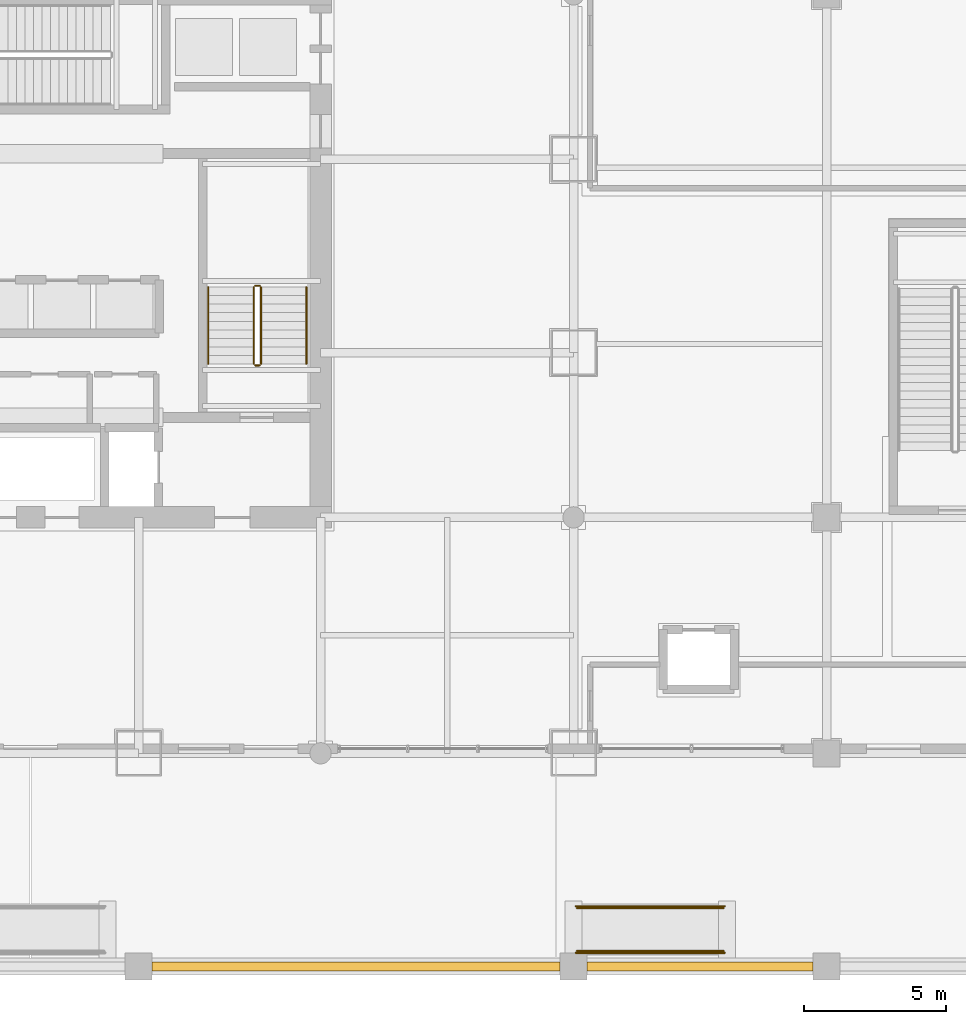
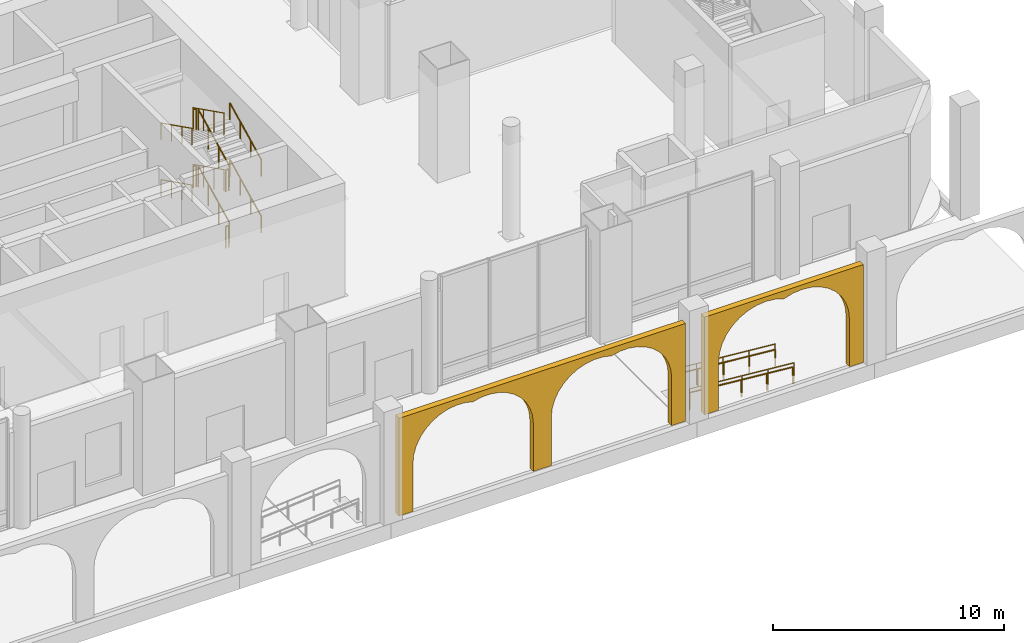
# One storey, part 27 of 32: 16 railings, 2 coverings.
"""IFC4 building model written with IfcOpenShell, lengths in metres."""

import ifcopenshell
import ifcopenshell.guid

model = None  # the IFC model being written
_history = None  # IfcOwnerHistory: only IFC2X3 demands one
_inside = {}  # id of a spatial element -> (the spatial element, [elements in it])
_under = {}  # id of a project, library or spatial element -> (it, [spatial elements below it])
_declared = {}  # id of a project -> (the project, [libraries it declares])
_typed = {}  # id of a type object -> (the type object, [elements of that type])
_made_of = {}  # id of a material, layer set ... -> (it, [elements and type objects made of it])


def new_model(schema):
    """Start an empty IFC model of exactly this schema.

    Asked for "IFC4X3", IfcOpenShell would pick the latest addendum, in which some entities
    have other attributes; the version numbers below select the first issue.
    IFC2X3 requires an IfcOwnerHistory on every rooted entity: one is made here for all.
    """
    global model, _history
    if schema == "IFC4X3":
        model = ifcopenshell.file(schema_version=(4, 3, 0, 0))
    else:
        model = ifcopenshell.file(schema=schema)
    _inside.clear()
    _under.clear()
    _declared.clear()
    _typed.clear()
    _made_of.clear()
    _history = None
    if model.schema == "IFC2X3":
        org = make("IfcOrganization", Name="unknown")
        user = make(
            "IfcPersonAndOrganization",
            ThePerson=make("IfcPerson", FamilyName="unknown"),
            TheOrganization=org,
        )
        app = make(
            "IfcApplication",
            ApplicationDeveloper=org,
            Version="unknown",
            ApplicationFullName="unknown",
            ApplicationIdentifier="unknown",
        )
        _history = make(
            "IfcOwnerHistory",
            OwningUser=user,
            OwningApplication=app,
            ChangeAction="ADDED",
            CreationDate=0,
        )
    return model


def make(cls, **values):
    """One entity of the class cls with the attributes given. An attribute that is None is left unset."""
    return model.create_entity(
        cls, **{name: value for name, value in values.items() if value is not None}
    )


def rooted(cls, **values):
    """An entity with a GlobalId (a new one), such as an element, a storey or a relation."""
    return make(cls, GlobalId=ifcopenshell.guid.new(), OwnerHistory=_history, **values)


def si_unit(unit_type, name, prefix=None):
    """IfcSIUnit, for example si_unit("LENGTHUNIT", "METRE", prefix="MILLI")."""
    return make("IfcSIUnit", UnitType=unit_type, Prefix=prefix, Name=name)


def assignment(units):
    """IfcUnitAssignment: the units of a project."""
    return None if units is None else make("IfcUnitAssignment", Units=units)


def point(xyz):
    """IfcCartesianPoint."""
    return None if xyz is None else make("IfcCartesianPoint", Coordinates=xyz)


def direction(xyz):
    """IfcDirection."""
    return None if xyz is None else make("IfcDirection", DirectionRatios=xyz)


def frame(location, z_axis=None, x_axis=None):
    """IfcAxis2Placement3D, a coordinate frame: its origin and axes. An axis left out is left unset."""
    return make(
        "IfcAxis2Placement3D",
        Location=point(location),
        Axis=direction(z_axis),
        RefDirection=direction(x_axis),
    )


def frame_2d(location, x_axis=None):
    """IfcAxis2Placement2D, a coordinate frame in the plane: its origin and x axis."""
    return make(
        "IfcAxis2Placement2D", Location=point(location), RefDirection=direction(x_axis)
    )


def origin():
    """The frame at (0, 0, 0) with its axes left unset."""
    return frame((0.0, 0.0, 0.0))


def origin_2d():
    """The frame at (0, 0) in the plane with its x axis left unset."""
    return frame_2d((0.0, 0.0))


def place(relative_to, where):
    """IfcLocalPlacement: puts the frame where relative to a parent placement (None: the world)."""
    return make(
        "IfcLocalPlacement", PlacementRelTo=relative_to, RelativePlacement=where
    )


def context(
    kind, dimensions, precision=None, world=None, true_north=None, identifier=None
):
    """IfcGeometricRepresentationContext, for example the 3D "Model" context."""
    return make(
        "IfcGeometricRepresentationContext",
        ContextIdentifier=identifier,
        ContextType=kind,
        CoordinateSpaceDimension=dimensions,
        Precision=precision,
        WorldCoordinateSystem=world,
        TrueNorth=true_north,
    )


def subcontext(parent, identifier, kind, view, scale=None):
    """IfcGeometricRepresentationSubContext, for example "Body" below "Model"."""
    return make(
        "IfcGeometricRepresentationSubContext",
        ContextIdentifier=identifier,
        ContextType=kind,
        ParentContext=parent,
        TargetScale=scale,
        TargetView=view,
    )


def project(units=None, contexts=None):
    """IfcProject with its units and contexts."""
    return rooted(
        "IfcProject",
        Name="project",
        RepresentationContexts=contexts,
        UnitsInContext=assignment(units),
    )


def spatial(cls, under=None, at=None, **own):
    """A site, building, storey or space (cls), placed at a placement, below another one or the project."""
    s = rooted(cls, ObjectPlacement=at, **own)
    if under is not None:
        _under.setdefault(under.id(), (under, []))[1].append(s)
    return s


def polyline(points):
    """IfcPolyline through the points."""
    return make("IfcPolyline", Points=[point(p) for p in points])


def profile(cls, at=None, kind="AREA", **sizes):
    """A parametric profile (cls). Its sizes go by their IFC names, for example OverallWidth=200.0."""
    return make(cls, ProfileType=kind, Position=at, **sizes)


def circle(**sizes):
    """IfcCircleProfileDef."""
    return profile("IfcCircleProfileDef", **sizes)


def outline(outer, holes=None, kind="AREA"):
    """IfcArbitraryClosedProfileDef: a profile drawn as a closed curve; with holes, ...WithVoids."""
    if holes is None:
        return make("IfcArbitraryClosedProfileDef", ProfileType=kind, OuterCurve=outer)
    return make(
        "IfcArbitraryProfileDefWithVoids",
        ProfileType=kind,
        OuterCurve=outer,
        InnerCurves=holes,
    )


def extrude(swept, where, along, depth):
    """IfcExtrudedAreaSolid: the profile swept, set in the frame where, extruded along a direction by depth."""
    return make(
        "IfcExtrudedAreaSolid",
        SweptArea=swept,
        Position=where,
        ExtrudedDirection=direction(along),
        Depth=depth,
    )


def shape(context_of_items, identifier, shape_type, items):
    """IfcShapeRepresentation: the items that make up one representation, for example the "Body"."""
    return make(
        "IfcShapeRepresentation",
        ContextOfItems=context_of_items,
        RepresentationIdentifier=identifier,
        RepresentationType=shape_type,
        Items=items,
    )


def material(Name=None, Category=None):
    """IfcMaterial."""
    return make("IfcMaterial", Name=Name, Category=Category)


def layer(
    of_material, thickness, ventilated=None, Name=None, Category=None, Priority=None
):
    """IfcMaterialLayer: one layer of a wall or slab, of a material (None: an air gap)."""
    return make(
        "IfcMaterialLayer",
        Material=of_material,
        LayerThickness=thickness,
        IsVentilated=ventilated,
        Name=Name,
        Category=Category,
        Priority=Priority,
    )


def layer_set(layers, Name=None):
    """IfcMaterialLayerSet."""
    return make("IfcMaterialLayerSet", MaterialLayers=layers, LayerSetName=Name)


def made_of(thing, what):
    """Note that an element or type object is made of a material, layer set ...; save() writes the relation."""
    if what is not None:
        _made_of.setdefault(what.id(), (what, []))[1].append(thing)
    return thing


def type_object(cls, material=None, **own):
    """A type object (cls), such as IfcWallType, which elements share."""
    return made_of(rooted(cls, **own), material)


def element(
    cls,
    number,
    at=None,
    inside=None,
    cuts=None,
    type_object=None,
    material=None,
    context=None,
    identifier="Body",
    shape_type=None,
    held_by="IfcProductDefinitionShape",
    body=None,
    shapes=None,
    **own,
):
    """One element of the class cls, such as IfcWall. Its Tag is "e" and its number.

    at: its placement. inside: the storey or other place that contains it. cuts: it is an
    opening in that element (IfcRelVoidsElement). A single representation is given by context,
    identifier, shape_type and body (its items); several are given by shapes. held_by: the class
    of the entity that holds the representations. save() writes the other relations.
    """
    e = rooted(cls, Tag="e%d" % number, ObjectPlacement=at, **own)
    if body is not None:
        shapes = [shape(context, identifier, shape_type, body)]
    if shapes is not None:
        e.Representation = make(held_by, Representations=shapes)
    if inside is not None:
        _inside.setdefault(inside.id(), (inside, []))[1].append(e)
    if cuts is not None:
        rooted(
            "IfcRelVoidsElement", RelatingBuildingElement=cuts, RelatedOpeningElement=e
        )
    if type_object is not None:
        _typed.setdefault(type_object.id(), (type_object, []))[1].append(e)
    return made_of(e, material)


def aggregate(whole, parts):
    """IfcRelAggregates: a whole, such as a stair, and the parts it consists of."""
    return rooted("IfcRelAggregates", RelatingObject=whole, RelatedObjects=parts)


def save(model, path):
    """Write the relations noted so far, then the file.

    IfcRelAggregates (storeys below a building ...), IfcRelContainedInSpatialStructure (elements
    in a storey), IfcRelDefinesByType, IfcRelAssociatesMaterial and IfcRelDeclares: one each for
    every whole, place, type object, material and project.
    """
    for whole, parts in _under.values():
        aggregate(whole, parts)
    for where, things in _inside.values():
        rooted(
            "IfcRelContainedInSpatialStructure",
            RelatedElements=things,
            RelatingStructure=where,
        )
    for kind, things in _typed.values():
        rooted("IfcRelDefinesByType", RelatedObjects=things, RelatingType=kind)
    for what, things in _made_of.values():
        rooted("IfcRelAssociatesMaterial", RelatedObjects=things, RelatingMaterial=what)
    for by, libraries in _declared.values():
        rooted("IfcRelDeclares", RelatingContext=by, RelatedDefinitions=libraries)
    model.write(path)


model = new_model("IFC4")

# Units and contexts
model_context = context("Model", 3, precision=1e-05, world=origin(), true_north=direction((0.0, 1.0)))
body_context = subcontext(model_context, "Body", "Model", "MODEL_VIEW")
ifc_project = project(units=[si_unit("LENGTHUNIT", "METRE"), si_unit("AREAUNIT", "SQUARE_METRE"), si_unit("VOLUMEUNIT", "CUBIC_METRE"), si_unit("PLANEANGLEUNIT", "RADIAN"), si_unit("MASSUNIT", "GRAM", prefix="KILO")], contexts=[model_context])

# Site, building, storey
site_placement = place(None, origin())
site = spatial("IfcSite", under=ifc_project, at=site_placement, CompositionType="ELEMENT")
building_placement = place(site_placement, origin())
building = spatial("IfcBuilding", under=site, at=building_placement, Name="Punatoya Terracotta Tower", CompositionType="ELEMENT")
storey_placement = place(building_placement, origin())
storey = spatial("IfcBuildingStorey", under=building, at=storey_placement, Name="L00", CompositionType="ELEMENT", Elevation=0.0)

# Coverings
ifc_material_1 = material(Name="Architectural Fired Terracotta Rainscreen", Category="masonry")
ifc_layer = layer(ifc_material_1, 0.300048828125)
ifc_layer_set = layer_set([ifc_layer], Name="Architectural Fired Terracotta Rainscreen")
covering_type = type_object("IfcCoveringType", Name="COV-ARC-300", PredefinedType="CLADDING", material=ifc_layer_set)
covering_1_placement = place(storey_placement, frame((4.27490234375, -25.0, 0.0), z_axis=(0.0, 0.0, 1.0), x_axis=(1.0, 0.0, 0.0)))
element("IfcCovering", 1, at=covering_1_placement, inside=storey, type_object=covering_type, Name="L00 Waterfront Arcade Pointed-Arch Spandrel Panel 05", PredefinedType="CLADDING", context=body_context, shape_type="SweptSolid", body=[
    extrude(outline(polyline([(0.0, 0.0), (0.699951171875, 0.0), (0.699951171875, 2.550048828125), (0.74072265625, 2.981689453125), (0.861328125, 3.398193359375), (1.0576171875, 3.78466796875), (1.322998046875, 4.127685546875), (1.6474609375, 4.415283203125), (2.02001953125, 4.636962890625), (2.427490234375, 4.784912109375), (2.85546875, 4.8544921875), (3.288818359375, 4.842529296875), (3.71240234375, 4.75), (4.135986328125, 4.842529296875), (4.569580078125, 4.8544921875), (4.99755859375, 4.784912109375), (5.40478515625, 4.636962890625), (5.777587890625, 4.415283203125), (6.10205078125, 4.127685546875), (6.3671875, 3.78466796875), (6.563720703125, 3.398193359375), (6.684326171875, 2.981689453125), (6.72509765625, 2.550048828125), (6.72509765625, 0.0), (7.625, 0.0), (7.625, 2.550048828125), (7.665771484375, 2.981689453125), (7.786376953125, 3.398193359375), (7.982666015625, 3.78466796875), (8.247802734375, 4.127685546875), (8.572509765625, 4.415283203125), (8.945068359375, 4.636962890625), (9.3525390625, 4.784912109375), (9.780517578125, 4.8544921875), (10.2138671875, 4.842529296875), (10.637451171875, 4.75), (11.06103515625, 4.842529296875), (11.494384765625, 4.8544921875), (11.922607421875, 4.784912109375), (12.329833984375, 4.636962890625), (12.702392578125, 4.415283203125), (13.027099609375, 4.127685546875), (13.292236328125, 3.78466796875), (13.488525390625, 3.398193359375), (13.609375, 2.981689453125), (13.64990234375, 2.550048828125), (13.64990234375, 0.0), (14.35009765625, 0.0), (14.35009765625, 5.169921875), (0.0, 5.169921875), (0.0, 0.0)])), frame((0.0, 0.14990234375, 0.0), z_axis=(0.0, -1.0, 0.0), x_axis=(1.0, 0.0, 0.0)), (0.0, 0.0, 1.0), 0.300048828125),
])
covering_2_placement = place(storey_placement, frame((19.574951171875, -25.0, 0.0), z_axis=(0.0, 0.0, 1.0), x_axis=(1.0, 0.0, 0.0)))
element("IfcCovering", 2, at=covering_2_placement, inside=storey, type_object=covering_type, Name="L00 Waterfront Arcade Pointed-Arch Spandrel Panel 06", PredefinedType="CLADDING", context=body_context, shape_type="SweptSolid", body=[
    extrude(outline(polyline([(0.0, 0.0), (0.699951171875, 0.0), (0.699951171875, 2.550048828125), (0.745361328125, 3.012451171875), (0.8798828125, 3.457275390625), (1.098388671875, 3.8671875), (1.392578125, 4.22705078125), (1.751220703125, 4.522705078125), (2.160400390625, 4.742919921875), (2.604736328125, 4.879150390625), (3.06689453125, 4.926513671875), (3.52978515625, 4.8828125), (3.97509765625, 4.75), (4.42041015625, 4.8828125), (4.883056640625, 4.926513671875), (5.34521484375, 4.879150390625), (5.78955078125, 4.742919921875), (6.19873046875, 4.522705078125), (6.557373046875, 4.22705078125), (6.8515625, 3.8671875), (7.070068359375, 3.457275390625), (7.20458984375, 3.012451171875), (7.25, 2.550048828125), (7.25, 0.0), (7.949951171875, 0.0), (7.949951171875, 5.169921875), (0.0, 5.169921875), (0.0, 0.0)])), frame((0.0, 0.14990234375, 0.0), z_axis=(0.0, -1.0, 0.0), x_axis=(1.0, 0.0, 0.0)), (0.0, 0.0, 1.0), 0.300048828125),
])

# Railings
ifc_material_2 = material(Name="Steel S355", Category="steel")
railing_type_1 = type_object("IfcRailingType", Name="RLG-GRD-1150", PredefinedType="GUARDRAIL", material=ifc_material_2)
railing_1_placement = place(storey_placement, frame((8.10009765625, -3.800048828125, 0.14990234375)))
element("IfcRailing", 3, at=railing_1_placement, inside=storey, type_object=railing_type_1, Name="L00 ST-2 stair guard 1", PredefinedType="GUARDRAIL", context=body_context, shape_type="SweptSolid", body=[
    extrude(circle(Radius=0.02392578125, at=origin_2d()), frame((0.0, 0.0, 1.1259765625), z_axis=(0.0, 0.894411015155, 0.447245945728), x_axis=(-1.0, 0.0, 0.0)), (0.0, 0.0, 1.0), 3.018798828125),
    extrude(circle(Radius=0.02099609375, at=origin_2d()), origin(), (0.0, 0.0, 1.0), 1.101806640625),
    extrude(circle(Radius=0.02099609375, at=origin_2d()), frame((0.0, 0.89990234375, 0.449951171875)), (0.0, 0.0, 1.0), 1.101806640625),
    extrude(circle(Radius=0.02099609375, at=origin_2d()), frame((0.0, 1.800048828125, 0.900146484375)), (0.0, 0.0, 1.0), 1.101806640625),
    extrude(circle(Radius=0.02099609375, at=origin_2d()), frame((0.0, 2.699951171875, 1.35009765625)), (0.0, 0.0, 1.0), 1.101806640625),
])
railing_2_placement = place(storey_placement, frame((8.050048828125, -1.050048828125, 1.5)))
element("IfcRailing", 4, at=railing_2_placement, inside=storey, type_object=railing_type_1, Name="L00 ST-2 stair guard 2", PredefinedType="GUARDRAIL", context=body_context, shape_type="SweptSolid", body=[
    extrude(circle(Radius=0.02392578125, at=origin_2d()), frame((0.0, 0.0, 1.1259765625), z_axis=(-1.0, 0.0, 0.0), x_axis=(0.0, -1.0, 0.0)), (0.0, 0.0, 1.0), 0.150146484375),
    extrude(circle(Radius=0.02099609375, at=origin_2d()), origin(), (0.0, 0.0, 1.0), 1.101806640625),
    extrude(circle(Radius=0.02099609375, at=origin_2d()), frame((-0.150146484375, 0.0, 0.0)), (0.0, 0.0, 1.0), 1.101806640625),
])
railing_3_placement = place(storey_placement, frame((7.85009765625, -1.10009765625, 1.64990234375)))
element("IfcRailing", 5, at=railing_3_placement, inside=storey, type_object=railing_type_1, Name="L00 ST-2 stair guard 3", PredefinedType="GUARDRAIL", context=body_context, shape_type="SweptSolid", body=[
    extrude(circle(Radius=0.02392578125, at=origin_2d()), frame((0.0, 0.0, 1.1259765625), z_axis=(0.0, -0.894411015155, 0.447245945728), x_axis=(1.0, 0.0, 0.0)), (0.0, 0.0, 1.0), 3.018798828125),
    extrude(circle(Radius=0.02099609375, at=origin_2d()), origin(), (0.0, 0.0, 1.0), 1.101806640625),
    extrude(circle(Radius=0.02099609375, at=origin_2d()), frame((0.0, -0.89990234375, 0.449951171875)), (0.0, 0.0, 1.0), 1.101806640625),
    extrude(circle(Radius=0.02099609375, at=origin_2d()), frame((0.0, -1.800048828125, 0.900146484375)), (0.0, 0.0, 1.0), 1.101806640625),
    extrude(circle(Radius=0.02099609375, at=origin_2d()), frame((0.0, -2.699951171875, 1.35009765625)), (0.0, 0.0, 1.0), 1.101806640625),
])
railing_4_placement = place(storey_placement, frame((8.050048828125, -3.85009765625, 3.0)))
element("IfcRailing", 6, at=railing_4_placement, inside=storey, type_object=railing_type_1, Name="L00 ST-2 stair guard 4", PredefinedType="GUARDRAIL", context=body_context, shape_type="SweptSolid", body=[
    extrude(circle(Radius=0.02392578125, at=origin_2d()), frame((0.0, 0.0, 1.1259765625), z_axis=(-1.0, 0.0, 0.0), x_axis=(0.0, -1.0, 0.0)), (0.0, 0.0, 1.0), 0.150146484375),
    extrude(circle(Radius=0.02099609375, at=origin_2d()), origin(), (0.0, 0.0, 1.0), 1.101806640625),
    extrude(circle(Radius=0.02099609375, at=origin_2d()), frame((-0.150146484375, 0.0, 0.0)), (0.0, 0.0, 1.0), 1.101806640625),
])
railing_5_placement = place(storey_placement, frame((8.10009765625, -3.800048828125, 3.14990234375)))
element("IfcRailing", 7, at=railing_5_placement, inside=storey, type_object=railing_type_1, Name="L00 ST-2 stair guard 5", PredefinedType="GUARDRAIL", context=body_context, shape_type="SweptSolid", body=[
    extrude(circle(Radius=0.02392578125, at=origin_2d()), frame((0.0, 0.0, 1.1259765625), z_axis=(0.0, 0.894411015155, 0.447245945728), x_axis=(-1.0, 0.0, 0.0)), (0.0, 0.0, 1.0), 3.018798828125),
    extrude(circle(Radius=0.02099609375, at=origin_2d()), origin(), (0.0, 0.0, 1.0), 1.101806640625),
    extrude(circle(Radius=0.02099609375, at=origin_2d()), frame((0.0, 0.89990234375, 0.449951171875)), (0.0, 0.0, 1.0), 1.101806640625),
    extrude(circle(Radius=0.02099609375, at=origin_2d()), frame((0.0, 1.800048828125, 0.900146484375)), (0.0, 0.0, 1.0), 1.101806640625),
    extrude(circle(Radius=0.02099609375, at=origin_2d()), frame((0.0, 2.699951171875, 1.35009765625)), (0.0, 0.0, 1.0), 1.101806640625),
])
railing_6_placement = place(storey_placement, frame((8.050048828125, -1.050048828125, 4.5)))
element("IfcRailing", 8, at=railing_6_placement, inside=storey, type_object=railing_type_1, Name="L00 ST-2 stair guard 6", PredefinedType="GUARDRAIL", context=body_context, shape_type="SweptSolid", body=[
    extrude(circle(Radius=0.02392578125, at=origin_2d()), frame((0.0, 0.0, 1.1259765625), z_axis=(-1.0, 0.0, 0.0), x_axis=(0.0, -1.0, 0.0)), (0.0, 0.0, 1.0), 0.150146484375),
    extrude(circle(Radius=0.02099609375, at=origin_2d()), origin(), (0.0, 0.0, 1.0), 1.101806640625),
    extrude(circle(Radius=0.02099609375, at=origin_2d()), frame((-0.150146484375, 0.0, 0.0)), (0.0, 0.0, 1.0), 1.101806640625),
])
railing_7_placement = place(storey_placement, frame((7.85009765625, -1.10009765625, 4.64990234375)))
element("IfcRailing", 9, at=railing_7_placement, inside=storey, type_object=railing_type_1, Name="L00 ST-2 stair guard 7", PredefinedType="GUARDRAIL", context=body_context, shape_type="SweptSolid", body=[
    extrude(circle(Radius=0.02392578125, at=origin_2d()), frame((0.0, 0.0, 1.1259765625), z_axis=(0.0, -0.894411015155, 0.447245945728), x_axis=(1.0, 0.0, 0.0)), (0.0, 0.0, 1.0), 3.018798828125),
    extrude(circle(Radius=0.02099609375, at=origin_2d()), origin(), (0.0, 0.0, 1.0), 1.101806640625),
    extrude(circle(Radius=0.02099609375, at=origin_2d()), frame((0.0, -0.89990234375, 0.449951171875)), (0.0, 0.0, 1.0), 1.101806640625),
    extrude(circle(Radius=0.02099609375, at=origin_2d()), frame((0.0, -1.800048828125, 0.900146484375)), (0.0, 0.0, 1.0), 1.101806640625),
    extrude(circle(Radius=0.02099609375, at=origin_2d()), frame((0.0, -2.699951171875, 1.35009765625)), (0.0, 0.0, 1.0), 1.101806640625),
])
railing_8_placement = place(storey_placement, frame((8.050048828125, -3.85009765625, 0.0)))
element("IfcRailing", 10, at=railing_8_placement, inside=storey, type_object=railing_type_1, Name="L00 ST-2 stair guard 8", PredefinedType="GUARDRAIL", context=body_context, shape_type="SweptSolid", body=[
    extrude(circle(Radius=0.02392578125, at=origin_2d()), frame((0.0, 0.0, 1.1259765625), z_axis=(-1.0, 0.0, 0.0), x_axis=(0.0, -1.0, 0.0)), (0.0, 0.0, 1.0), 0.150146484375),
    extrude(circle(Radius=0.02099609375, at=origin_2d()), origin(), (0.0, 0.0, 1.0), 1.101806640625),
    extrude(circle(Radius=0.02099609375, at=origin_2d()), frame((-0.150146484375, 0.0, 0.0)), (0.0, 0.0, 1.0), 1.101806640625),
])
for number, where, name in (
    (11, (19.179931640625, -24.52001953125, 0.0), "PR-2 Guardrail S"),
    (12, (19.179931640625, -22.8798828125, 0.0), "PR-2 Guardrail N"),
):
    element("IfcRailing", number, at=place(storey_placement, frame(where)), inside=storey, type_object=railing_type_1, Name=name, PredefinedType="GUARDRAIL", context=body_context, shape_type="SweptSolid", body=[
        extrude(circle(Radius=0.02392578125, at=origin_2d()), frame((0.0, 0.0, 1.1259765625), z_axis=(0.996333546167, 0.0, -0.085553870642), x_axis=(0.0, 1.0, 0.0)), (0.0, 0.0, 1.0), 5.25927734375),
        extrude(circle(Radius=0.02099609375, at=origin_2d()), origin(), (0.0, 0.0, 1.0), 1.101806640625),
        extrude(circle(Radius=0.02099609375, at=origin_2d()), frame((1.31005859375, 0.0, -0.112548828125)), (0.0, 0.0, 1.0), 1.101806640625),
        extrude(circle(Radius=0.02099609375, at=origin_2d()), frame((2.6201171875, 0.0, -0.22509765625)), (0.0, 0.0, 1.0), 1.101806640625),
        extrude(circle(Radius=0.02099609375, at=origin_2d()), frame((3.929931640625, 0.0, -0.33740234375)), (0.0, 0.0, 1.0), 1.101806640625),
        extrude(circle(Radius=0.02099609375, at=origin_2d()), frame((5.239990234375, 0.0, -0.449951171875)), (0.0, 0.0, 1.0), 1.101806640625),
    ])
railing_type_2 = type_object("IfcRailingType", Name="RLG-HND-900", PredefinedType="HANDRAIL", material=ifc_material_2)
railing_9_placement = place(storey_placement, frame((9.699951171875, -3.800048828125, 0.14990234375)))
element("IfcRailing", 13, at=railing_9_placement, inside=storey, type_object=railing_type_2, Name="L00 ST-2 stair handrail 1", PredefinedType="HANDRAIL", context=body_context, shape_type="SweptSolid", body=[
    extrude(circle(Radius=0.02392578125, at=origin_2d()), frame((0.0, 0.0, 0.8759765625), z_axis=(0.0, 0.894411015155, 0.447245945728), x_axis=(-1.0, 0.0, 0.0)), (0.0, 0.0, 1.0), 3.018798828125),
    extrude(circle(Radius=0.02099609375, at=origin_2d()), origin(), (0.0, 0.0, 1.0), 0.851806640625),
    extrude(circle(Radius=0.02099609375, at=origin_2d()), frame((0.0, 0.89990234375, 0.449951171875)), (0.0, 0.0, 1.0), 0.851806640625),
    extrude(circle(Radius=0.02099609375, at=origin_2d()), frame((0.0, 1.800048828125, 0.900146484375)), (0.0, 0.0, 1.0), 0.851806640625),
    extrude(circle(Radius=0.02099609375, at=origin_2d()), frame((0.0, 2.699951171875, 1.35009765625)), (0.0, 0.0, 1.0), 0.851806640625),
])
railing_10_placement = place(storey_placement, frame((6.25, -1.10009765625, 1.64990234375)))
element("IfcRailing", 14, at=railing_10_placement, inside=storey, type_object=railing_type_2, Name="L00 ST-2 stair handrail 2", PredefinedType="HANDRAIL", context=body_context, shape_type="SweptSolid", body=[
    extrude(circle(Radius=0.02392578125, at=origin_2d()), frame((0.0, 0.0, 0.8759765625), z_axis=(0.0, -0.894411015155, 0.447245945728), x_axis=(1.0, 0.0, 0.0)), (0.0, 0.0, 1.0), 3.018798828125),
    extrude(circle(Radius=0.02099609375, at=origin_2d()), origin(), (0.0, 0.0, 1.0), 0.851806640625),
    extrude(circle(Radius=0.02099609375, at=origin_2d()), frame((0.0, -0.89990234375, 0.449951171875)), (0.0, 0.0, 1.0), 0.851806640625),
    extrude(circle(Radius=0.02099609375, at=origin_2d()), frame((0.0, -1.800048828125, 0.900146484375)), (0.0, 0.0, 1.0), 0.851806640625),
    extrude(circle(Radius=0.02099609375, at=origin_2d()), frame((0.0, -2.699951171875, 1.35009765625)), (0.0, 0.0, 1.0), 0.851806640625),
])
railing_11_placement = place(storey_placement, frame((9.699951171875, -3.800048828125, 3.14990234375)))
element("IfcRailing", 15, at=railing_11_placement, inside=storey, type_object=railing_type_2, Name="L00 ST-2 stair handrail 3", PredefinedType="HANDRAIL", context=body_context, shape_type="SweptSolid", body=[
    extrude(circle(Radius=0.02392578125, at=origin_2d()), frame((0.0, 0.0, 0.8759765625), z_axis=(0.0, 0.894411015155, 0.447245945728), x_axis=(-1.0, 0.0, 0.0)), (0.0, 0.0, 1.0), 3.018798828125),
    extrude(circle(Radius=0.02099609375, at=origin_2d()), origin(), (0.0, 0.0, 1.0), 0.851806640625),
    extrude(circle(Radius=0.02099609375, at=origin_2d()), frame((0.0, 0.89990234375, 0.449951171875)), (0.0, 0.0, 1.0), 0.851806640625),
    extrude(circle(Radius=0.02099609375, at=origin_2d()), frame((0.0, 1.800048828125, 0.900146484375)), (0.0, 0.0, 1.0), 0.851806640625),
    extrude(circle(Radius=0.02099609375, at=origin_2d()), frame((0.0, 2.699951171875, 1.35009765625)), (0.0, 0.0, 1.0), 0.851806640625),
])
railing_12_placement = place(storey_placement, frame((6.25, -1.10009765625, 4.64990234375)))
element("IfcRailing", 16, at=railing_12_placement, inside=storey, type_object=railing_type_2, Name="L00 ST-2 stair handrail 4", PredefinedType="HANDRAIL", context=body_context, shape_type="SweptSolid", body=[
    extrude(circle(Radius=0.02392578125, at=origin_2d()), frame((0.0, 0.0, 0.8759765625), z_axis=(0.0, -0.894411015155, 0.447245945728), x_axis=(1.0, 0.0, 0.0)), (0.0, 0.0, 1.0), 3.018798828125),
    extrude(circle(Radius=0.02099609375, at=origin_2d()), origin(), (0.0, 0.0, 1.0), 0.851806640625),
    extrude(circle(Radius=0.02099609375, at=origin_2d()), frame((0.0, -0.89990234375, 0.449951171875)), (0.0, 0.0, 1.0), 0.851806640625),
    extrude(circle(Radius=0.02099609375, at=origin_2d()), frame((0.0, -1.800048828125, 0.900146484375)), (0.0, 0.0, 1.0), 0.851806640625),
    extrude(circle(Radius=0.02099609375, at=origin_2d()), frame((0.0, -2.699951171875, 1.35009765625)), (0.0, 0.0, 1.0), 0.851806640625),
])
for number, where, name in (
    (17, (19.219970703125, -24.4599609375, 0.0), "PR-2 Handrail S"),
    (18, (19.219970703125, -22.93994140625, 0.0), "PR-2 Handrail N"),
):
    element("IfcRailing", number, at=place(storey_placement, frame(where)), inside=storey, type_object=railing_type_2, Name=name, PredefinedType="HANDRAIL", context=body_context, shape_type="SweptSolid", body=[
        extrude(circle(Radius=0.02392578125, at=origin_2d()), frame((0.0, 0.0, 0.8759765625), z_axis=(0.996219511194, 0.0, -0.086871661184), x_axis=(0.0, 1.0, 0.0)), (0.0, 0.0, 1.0), 5.179443359375),
        extrude(circle(Radius=0.02099609375, at=origin_2d()), origin(), (0.0, 0.0, 1.0), 0.851806640625),
        extrude(circle(Radius=0.02099609375, at=origin_2d()), frame((1.2900390625, 0.0, -0.112548828125)), (0.0, 0.0, 1.0), 0.851806640625),
        extrude(circle(Radius=0.02099609375, at=origin_2d()), frame((2.580078125, 0.0, -0.22509765625)), (0.0, 0.0, 1.0), 0.851806640625),
        extrude(circle(Radius=0.02099609375, at=origin_2d()), frame((3.869873046875, 0.0, -0.33740234375)), (0.0, 0.0, 1.0), 0.851806640625),
        extrude(circle(Radius=0.02099609375, at=origin_2d()), frame((5.159912109375, 0.0, -0.449951171875)), (0.0, 0.0, 1.0), 0.851806640625),
    ])

save(model, "model.ifc")
